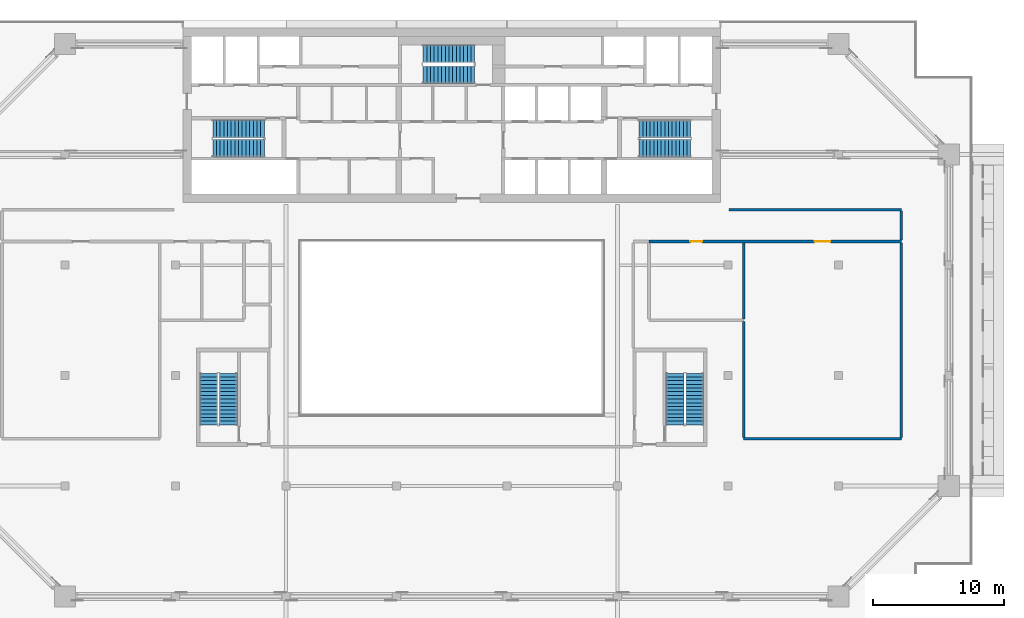
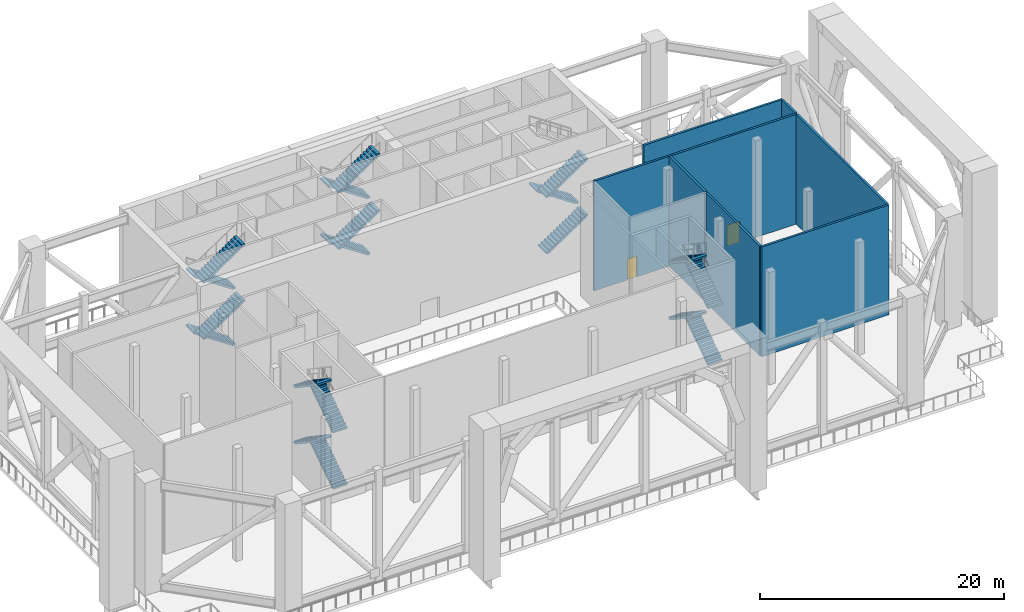
# One storey, part 8 of 19: 19 stair flights, 7 walls, 2 doors, 2 openings, 5 elements without a shape of their own.
"""IFC4 building model written with IfcOpenShell, lengths in metres."""

from ifc_helpers import new_model, si_unit, direction, frame, frame_2d, origin, place, context, subcontext, project, spatial, polyline, rectangle, outline, extrude, material, layer, layer_set, type_object, element, fill, aggregate, save


model = new_model("IFC4")

# Units and contexts
model_context = context("Model", 3, precision=1e-05, world=origin(), true_north=direction((0.0, 1.0)))
body_context = subcontext(model_context, "Body", "Model", "MODEL_VIEW")
ifc_project = project(units=[si_unit("LENGTHUNIT", "METRE"), si_unit("AREAUNIT", "SQUARE_METRE"), si_unit("VOLUMEUNIT", "CUBIC_METRE"), si_unit("PLANEANGLEUNIT", "RADIAN"), si_unit("MASSUNIT", "GRAM", prefix="KILO")], contexts=[model_context])

# Site, building, storey
site_placement = place(None, origin())
site = spatial("IfcSite", under=ifc_project, at=site_placement, CompositionType="ELEMENT")
building_placement = place(site_placement, origin())
building = spatial("IfcBuilding", under=site, at=building_placement, Name="Saffron Gate Tower", CompositionType="ELEMENT")
storey_placement = place(building_placement, frame((0.0, 0.0, 194.25)))
storey = spatial("IfcBuildingStorey", under=building, at=storey_placement, Name="L48", CompositionType="ELEMENT", Elevation=194.25)

# Wall, openings, doors
ifc_material_1 = material(Name="Clay brick masonry, rendered", Category="masonry")
ifc_layer_1 = layer(ifc_material_1, 0.199951171875)
ifc_layer_set_1 = layer_set([ifc_layer_1], Name="PW3 Corridor wall 200")
wall_type_1 = type_object("IfcWallType", Name="PW3 Corridor wall 200", PredefinedType="PARTITIONING", material=ifc_layer_set_1)
wall_1_placement = place(storey_placement, frame((121.800048828125, 58.800048828125, 0.0), z_axis=(0.0, 0.0, 1.0), x_axis=(-1.0, 0.0, 0.0)))
wall_1 = element("IfcWall", 1, at=wall_1_placement, inside=storey, type_object=wall_type_1, Name="Wall X2-9", PredefinedType="PARTITIONING", context=body_context, shape_type="SweptSolid", body=[
    extrude(rectangle(XDim=19.199951171875, YDim=0.199951171875, at=frame_2d((9.60009765625, 0.0))), origin(), (0.0, 0.0, 1.0), 10.969970703125),
])
opening_1_placement = place(wall_1_placement, frame((5.39990234375, 0.0, 0.0)))
opening_1 = element("IfcOpeningElement", 2, at=opening_1_placement, cuts=wall_1, Name="Opening X2-5", PredefinedType="OPENING", context=body_context, shape_type="SweptSolid", body=[
    extrude(rectangle(XDim=1.199951171875, YDim=2.10009765625, at=frame_2d((0.60009765625, 1.050048828125))), frame((0.0, 0.10986328125, 0.0), z_axis=(0.0, -1.0, 0.0), x_axis=(1.0, 0.0, 0.0)), (0.0, 0.0, 1.0), 0.219970703125),
])
opening_2_placement = place(wall_1_placement, frame((15.14990234375, 0.0, 0.0)))
opening_2 = element("IfcOpeningElement", 3, at=opening_2_placement, cuts=wall_1, Name="Opening X2-1", PredefinedType="OPENING", context=body_context, shape_type="SweptSolid", body=[
    extrude(rectangle(XDim=0.89990234375, YDim=2.10009765625, at=frame_2d((0.449951171875, 1.050048828125))), frame((0.0, 0.10986328125, 0.0), z_axis=(0.0, -1.0, 0.0), x_axis=(1.0, 0.0, 0.0)), (0.0, 0.0, 1.0), 0.219970703125),
])
ifc_material_2 = material(Name="Timber door set", Category="wood")
door_type_1 = type_object("IfcDoorType", Name="HD1 Hall door 1200x2100", OperationType="NOTDEFINED", PredefinedType="DOOR", material=ifc_material_2)
door_1_placement = place(opening_1_placement, origin())
door_1 = element("IfcDoor", 4, at=door_1_placement, inside=storey, type_object=door_type_1, Name="Door X2-5", OperationType="SINGLE_SWING_RIGHT", OverallHeight=2.10009765625, OverallWidth=1.199951171875, PredefinedType="DOOR", context=body_context, shape_type="SweptSolid", body=[
    extrude(rectangle(XDim=1.199951171875, YDim=2.10009765625, at=frame_2d((0.60009765625, 1.050048828125))), frame((0.0, 0.02490234375, 0.0), z_axis=(0.0, -1.0, 0.0), x_axis=(1.0, 0.0, 0.0)), (0.0, 0.0, 1.0), 0.050048828125),
])
fill(opening_1, door_1)
door_type_2 = type_object("IfcDoorType", Name="RD1 Room door 900x2100", OperationType="NOTDEFINED", PredefinedType="DOOR", material=ifc_material_2)
door_2_placement = place(opening_2_placement, origin())
door_2 = element("IfcDoor", 5, at=door_2_placement, inside=storey, type_object=door_type_2, Name="Door X2-1", OperationType="SINGLE_SWING_LEFT", OverallHeight=2.10009765625, OverallWidth=0.89990234375, PredefinedType="DOOR", context=body_context, shape_type="SweptSolid", body=[
    extrude(rectangle(XDim=0.89990234375, YDim=2.10009765625, at=frame_2d((0.449951171875, 1.050048828125))), frame((0.0, 0.02490234375, 0.0), z_axis=(0.0, -1.0, 0.0), x_axis=(1.0, 0.0, 0.0)), (0.0, 0.0, 1.0), 0.050048828125),
])
fill(opening_2, door_2)

# Walls
ifc_layer_2 = layer(ifc_material_1, 0.199951171875)
ifc_layer_set_2 = layer_set([ifc_layer_2], Name="PW5 Room wall 200")
wall_type_2 = type_object("IfcWallType", Name="PW5 Room wall 200", PredefinedType="PARTITIONING", material=ifc_layer_set_2)
wall_2_placement = place(storey_placement, frame((109.800048828125, 43.800048828125, 0.0), z_axis=(0.0, 0.0, 1.0), x_axis=(1.0, 0.0, 0.0)))
element("IfcWall", 6, at=wall_2_placement, inside=storey, type_object=wall_type_2, Name="Wall X2-3", PredefinedType="PARTITIONING", context=body_context, shape_type="SweptSolid", body=[
    extrude(rectangle(XDim=12.0, YDim=0.199951171875, at=frame_2d((6.0, 0.0))), origin(), (0.0, 0.0, 1.0), 10.969970703125),
])
wall_3_placement = place(storey_placement, frame((108.699951171875, 61.199951171875, 0.0), z_axis=(0.0, 0.0, 1.0), x_axis=(1.0, 0.0, 0.0)))
element("IfcWall", 7, at=wall_3_placement, inside=storey, type_object=wall_type_2, Name="Wall X2-12", PredefinedType="PARTITIONING", context=body_context, shape_type="SweptSolid", body=[
    extrude(rectangle(XDim=13.10009765625, YDim=0.199951171875, at=frame_2d((6.550048828125, 0.0))), origin(), (0.0, 0.0, 1.0), 10.969970703125),
])
wall_4_placement = place(storey_placement, frame((109.800048828125, 52.699951171875, 0.0), z_axis=(0.0, 0.0, 1.0), x_axis=(0.0, -1.0, 0.0)))
element("IfcWall", 8, at=wall_4_placement, inside=storey, type_object=wall_type_2, Name="Wall X2-24", PredefinedType="PARTITIONING", context=body_context, shape_type="SweptSolid", body=[
    extrude(rectangle(XDim=8.800048828125, YDim=0.199951171875, at=frame_2d((4.39990234375, 0.0))), origin(), (0.0, 0.0, 1.0), 10.969970703125),
])
wall_5_placement = place(storey_placement, frame((109.800048828125, 58.699951171875, 0.0), z_axis=(0.0, 0.0, 1.0), x_axis=(0.0, -1.0, 0.0)))
element("IfcWall", 9, at=wall_5_placement, inside=storey, type_object=wall_type_2, Name="Wall X2-25", PredefinedType="PARTITIONING", context=body_context, shape_type="SweptSolid", body=[
    extrude(rectangle(XDim=5.800048828125, YDim=0.199951171875, at=frame_2d((2.89990234375, 0.0))), origin(), (0.0, 0.0, 1.0), 10.969970703125),
])
wall_6_placement = place(storey_placement, frame((121.800048828125, 58.699951171875, 0.0), z_axis=(0.0, 0.0, 1.0), x_axis=(0.0, -1.0, 0.0)))
element("IfcWall", 10, at=wall_6_placement, inside=storey, type_object=wall_type_2, Name="Wall X2-26", PredefinedType="PARTITIONING", context=body_context, shape_type="SweptSolid", body=[
    extrude(rectangle(XDim=14.800048828125, YDim=0.199951171875, at=frame_2d((7.39990234375, 0.0))), origin(), (0.0, 0.0, 1.0), 10.969970703125),
])
wall_7_placement = place(storey_placement, frame((121.800048828125, 61.10009765625, 0.0), z_axis=(0.0, 0.0, 1.0), x_axis=(0.0, -1.0, 0.0)))
element("IfcWall", 11, at=wall_7_placement, inside=storey, type_object=wall_type_2, Name="Wall X2-27", PredefinedType="PARTITIONING", context=body_context, shape_type="SweptSolid", body=[
    extrude(rectangle(XDim=2.2001953125, YDim=0.199951171875, at=frame_2d((1.10009765625, 0.0))), origin(), (0.0, 0.0, 1.0), 10.969970703125),
])

# Stair, stair flights
ifc_material_3 = material(Name="Concrete C40", Category="concrete")
stair_type = type_object("IfcStairType", Name="ST8 Stair 1350 wide, 60 risers of 188", PredefinedType="HALF_TURN_STAIR", material=ifc_material_3)
stair_1_placement = place(storey_placement, origin())
stair_1 = element("IfcStair", 12, at=stair_1_placement, inside=storey, type_object=stair_type, Name="L48 Exit stair A", PredefinedType="HALF_TURN_STAIR")
stair_flight_type = type_object("IfcStairFlightType", Name="SF2 Stair flight 1350 wide, riser 188 going 280", PredefinedType="STRAIGHT", material=ifc_material_3)
stair_flight_1_placement = place(storey_placement, frame((73.35009765625, 67.375, 0.0), z_axis=(0.0, 0.0, 1.0), x_axis=(-1.0, 0.0, 0.0)))
stair_flight_1 = element("IfcStairFlight", 13, at=stair_flight_1_placement, type_object=stair_flight_type, Name="ST-A flight 1", NumberOfRisers=15, NumberOfTreads=14, PredefinedType="STRAIGHT", RiserHeight=0.1875, TreadLength=0.28, context=body_context, shape_type="SweptSolid", body=[
    extrude(outline(polyline([(0.0, 0.0), (0.0, 0.1875), (0.280029296875, 0.1875), (0.280029296875, 0.375), (0.56005859375, 0.375), (0.56005859375, 0.5625), (0.840087890625, 0.5625), (0.840087890625, 0.75), (1.1201171875, 0.75), (1.1201171875, 0.9375), (1.39990234375, 0.9375), (1.39990234375, 1.125), (1.679931640625, 1.125), (1.679931640625, 1.3125), (1.9599609375, 1.3125), (1.9599609375, 1.5), (2.239990234375, 1.5), (2.239990234375, 1.6875), (2.52001953125, 1.6875), (2.52001953125, 1.875), (2.800048828125, 1.875), (2.800048828125, 2.0625), (3.080078125, 2.0625), (3.080078125, 2.25), (3.360107421875, 2.25), (3.360107421875, 2.4375), (3.639892578125, 2.4375), (3.639892578125, 2.625), (3.919921875, 2.625), (3.919921875, 2.8125), (3.919921875, 2.444580078125), (0.26953125, 0.0), (0.0, 0.0)])), frame((0.0, 0.675048828125, 0.0), z_axis=(0.0, -1.0, 0.0), x_axis=(1.0, 0.0, 0.0)), (0.0, 0.0, 1.0), 1.35009765625),
])
stair_flight_2_placement = place(storey_placement, frame((69.429931640625, 65.875, 2.8125), z_axis=(0.0, 0.0, 1.0), x_axis=(1.0, 0.0, 0.0)))
stair_flight_2 = element("IfcStairFlight", 14, at=stair_flight_2_placement, type_object=stair_flight_type, Name="ST-A flight 2", NumberOfRisers=15, NumberOfTreads=14, PredefinedType="STRAIGHT", RiserHeight=0.1875, TreadLength=0.28, context=body_context, shape_type="SweptSolid", body=[
    extrude(outline(polyline([(0.0, 0.0), (0.0, 0.1875), (0.280029296875, 0.1875), (0.280029296875, 0.375), (0.56005859375, 0.375), (0.56005859375, 0.5625), (0.840087890625, 0.5625), (0.840087890625, 0.75), (1.1201171875, 0.75), (1.1201171875, 0.9375), (1.39990234375, 0.9375), (1.39990234375, 1.125), (1.679931640625, 1.125), (1.679931640625, 1.3125), (1.9599609375, 1.3125), (1.9599609375, 1.5), (2.239990234375, 1.5), (2.239990234375, 1.6875), (2.52001953125, 1.6875), (2.52001953125, 1.875), (2.800048828125, 1.875), (2.800048828125, 2.0625), (3.080078125, 2.0625), (3.080078125, 2.25), (3.360107421875, 2.25), (3.360107421875, 2.4375), (3.639892578125, 2.4375), (3.639892578125, 2.625), (3.919921875, 2.625), (3.919921875, 2.8125), (3.919921875, 2.444580078125), (0.26953125, 0.0), (0.0, 0.0)])), frame((0.0, 0.675048828125, 0.0), z_axis=(0.0, -1.0, 0.0), x_axis=(1.0, 0.0, 0.0)), (0.0, 0.0, 1.0), 1.35009765625),
])
stair_flight_3_placement = place(storey_placement, frame((73.35009765625, 67.375, 5.625), z_axis=(0.0, 0.0, 1.0), x_axis=(-1.0, 0.0, 0.0)))
stair_flight_3 = element("IfcStairFlight", 15, at=stair_flight_3_placement, type_object=stair_flight_type, Name="ST-A flight 3", NumberOfRisers=15, NumberOfTreads=14, PredefinedType="STRAIGHT", RiserHeight=0.1875, TreadLength=0.28, context=body_context, shape_type="SweptSolid", body=[
    extrude(outline(polyline([(0.0, 0.0), (0.0, 0.1875), (0.280029296875, 0.1875), (0.280029296875, 0.375), (0.56005859375, 0.375), (0.56005859375, 0.5625), (0.840087890625, 0.5625), (0.840087890625, 0.75), (1.1201171875, 0.75), (1.1201171875, 0.9375), (1.39990234375, 0.9375), (1.39990234375, 1.125), (1.679931640625, 1.125), (1.679931640625, 1.3125), (1.9599609375, 1.3125), (1.9599609375, 1.5), (2.239990234375, 1.5), (2.239990234375, 1.6875), (2.52001953125, 1.6875), (2.52001953125, 1.875), (2.800048828125, 1.875), (2.800048828125, 2.0625), (3.080078125, 2.0625), (3.080078125, 2.25), (3.360107421875, 2.25), (3.360107421875, 2.4375), (3.639892578125, 2.4375), (3.639892578125, 2.625), (3.919921875, 2.625), (3.919921875, 2.8125), (3.919921875, 2.444580078125), (0.26953125, 0.0), (0.0, 0.0)])), frame((0.0, 0.675048828125, 0.0), z_axis=(0.0, -1.0, 0.0), x_axis=(1.0, 0.0, 0.0)), (0.0, 0.0, 1.0), 1.35009765625),
])
stair_flight_4_placement = place(storey_placement, frame((69.429931640625, 65.875, 8.4375), z_axis=(0.0, 0.0, 1.0), x_axis=(1.0, 0.0, 0.0)))
stair_flight_4 = element("IfcStairFlight", 16, at=stair_flight_4_placement, type_object=stair_flight_type, Name="ST-A flight 4", NumberOfRisers=15, NumberOfTreads=14, PredefinedType="STRAIGHT", RiserHeight=0.1875, TreadLength=0.28, context=body_context, shape_type="SweptSolid", body=[
    extrude(outline(polyline([(0.0, 0.0), (0.0, 0.1875), (0.280029296875, 0.1875), (0.280029296875, 0.375), (0.56005859375, 0.375), (0.56005859375, 0.5625), (0.840087890625, 0.5625), (0.840087890625, 0.75), (1.1201171875, 0.75), (1.1201171875, 0.9375), (1.39990234375, 0.9375), (1.39990234375, 1.125), (1.679931640625, 1.125), (1.679931640625, 1.3125), (1.9599609375, 1.3125), (1.9599609375, 1.5), (2.239990234375, 1.5), (2.239990234375, 1.6875), (2.52001953125, 1.6875), (2.52001953125, 1.875), (2.800048828125, 1.875), (2.800048828125, 2.0625), (3.080078125, 2.0625), (3.080078125, 2.25), (3.360107421875, 2.25), (3.360107421875, 2.4375), (3.639892578125, 2.4375), (3.639892578125, 2.625), (3.919921875, 2.625), (3.919921875, 2.8125), (3.919921875, 2.444580078125), (0.26953125, 0.0), (0.0, 0.0)])), frame((0.0, 0.675048828125, 0.0), z_axis=(0.0, -1.0, 0.0), x_axis=(1.0, 0.0, 0.0)), (0.0, 0.0, 1.0), 1.35009765625),
])
aggregate(stair_1, [stair_flight_1, stair_flight_2, stair_flight_3, stair_flight_4])

stair_2_placement = place(storey_placement, origin())
stair_2 = element("IfcStair", 17, at=stair_2_placement, inside=storey, type_object=stair_type, Name="L48 Exit stair B", PredefinedType="HALF_TURN_STAIR")
stair_flight_5_placement = place(storey_placement, frame((101.85009765625, 65.875, 0.0), z_axis=(0.0, 0.0, 1.0), x_axis=(1.0, 0.0, 0.0)))
stair_flight_5 = element("IfcStairFlight", 18, at=stair_flight_5_placement, type_object=stair_flight_type, Name="ST-B flight 1", NumberOfRisers=15, NumberOfTreads=14, PredefinedType="STRAIGHT", RiserHeight=0.1875, TreadLength=0.28, context=body_context, shape_type="SweptSolid", body=[
    extrude(outline(polyline([(0.0, 0.0), (0.0, 0.1875), (0.280029296875, 0.1875), (0.280029296875, 0.375), (0.56005859375, 0.375), (0.56005859375, 0.5625), (0.840087890625, 0.5625), (0.840087890625, 0.75), (1.1201171875, 0.75), (1.1201171875, 0.9375), (1.39990234375, 0.9375), (1.39990234375, 1.125), (1.679931640625, 1.125), (1.679931640625, 1.3125), (1.9599609375, 1.3125), (1.9599609375, 1.5), (2.239990234375, 1.5), (2.239990234375, 1.6875), (2.52001953125, 1.6875), (2.52001953125, 1.875), (2.800048828125, 1.875), (2.800048828125, 2.0625), (3.080078125, 2.0625), (3.080078125, 2.25), (3.360107421875, 2.25), (3.360107421875, 2.4375), (3.639892578125, 2.4375), (3.639892578125, 2.625), (3.919921875, 2.625), (3.919921875, 2.8125), (3.919921875, 2.444580078125), (0.26953125, 0.0), (0.0, 0.0)])), frame((0.0, 0.675048828125, 0.0), z_axis=(0.0, -1.0, 0.0), x_axis=(1.0, 0.0, 0.0)), (0.0, 0.0, 1.0), 1.35009765625),
])
stair_flight_6_placement = place(storey_placement, frame((105.77001953125, 67.375, 2.8125), z_axis=(0.0, 0.0, 1.0), x_axis=(-1.0, 0.0, 0.0)))
stair_flight_6 = element("IfcStairFlight", 19, at=stair_flight_6_placement, type_object=stair_flight_type, Name="ST-B flight 2", NumberOfRisers=15, NumberOfTreads=14, PredefinedType="STRAIGHT", RiserHeight=0.1875, TreadLength=0.28, context=body_context, shape_type="SweptSolid", body=[
    extrude(outline(polyline([(0.0, 0.0), (0.0, 0.1875), (0.280029296875, 0.1875), (0.280029296875, 0.375), (0.56005859375, 0.375), (0.56005859375, 0.5625), (0.840087890625, 0.5625), (0.840087890625, 0.75), (1.1201171875, 0.75), (1.1201171875, 0.9375), (1.39990234375, 0.9375), (1.39990234375, 1.125), (1.679931640625, 1.125), (1.679931640625, 1.3125), (1.9599609375, 1.3125), (1.9599609375, 1.5), (2.239990234375, 1.5), (2.239990234375, 1.6875), (2.52001953125, 1.6875), (2.52001953125, 1.875), (2.800048828125, 1.875), (2.800048828125, 2.0625), (3.080078125, 2.0625), (3.080078125, 2.25), (3.360107421875, 2.25), (3.360107421875, 2.4375), (3.639892578125, 2.4375), (3.639892578125, 2.625), (3.919921875, 2.625), (3.919921875, 2.8125), (3.919921875, 2.444580078125), (0.26953125, 0.0), (0.0, 0.0)])), frame((0.0, 0.675048828125, 0.0), z_axis=(0.0, -1.0, 0.0), x_axis=(1.0, 0.0, 0.0)), (0.0, 0.0, 1.0), 1.35009765625),
])
stair_flight_7_placement = place(storey_placement, frame((101.85009765625, 65.875, 5.625), z_axis=(0.0, 0.0, 1.0), x_axis=(1.0, 0.0, 0.0)))
stair_flight_7 = element("IfcStairFlight", 20, at=stair_flight_7_placement, type_object=stair_flight_type, Name="ST-B flight 3", NumberOfRisers=15, NumberOfTreads=14, PredefinedType="STRAIGHT", RiserHeight=0.1875, TreadLength=0.28, context=body_context, shape_type="SweptSolid", body=[
    extrude(outline(polyline([(0.0, 0.0), (0.0, 0.1875), (0.280029296875, 0.1875), (0.280029296875, 0.375), (0.56005859375, 0.375), (0.56005859375, 0.5625), (0.840087890625, 0.5625), (0.840087890625, 0.75), (1.1201171875, 0.75), (1.1201171875, 0.9375), (1.39990234375, 0.9375), (1.39990234375, 1.125), (1.679931640625, 1.125), (1.679931640625, 1.3125), (1.9599609375, 1.3125), (1.9599609375, 1.5), (2.239990234375, 1.5), (2.239990234375, 1.6875), (2.52001953125, 1.6875), (2.52001953125, 1.875), (2.800048828125, 1.875), (2.800048828125, 2.0625), (3.080078125, 2.0625), (3.080078125, 2.25), (3.360107421875, 2.25), (3.360107421875, 2.4375), (3.639892578125, 2.4375), (3.639892578125, 2.625), (3.919921875, 2.625), (3.919921875, 2.8125), (3.919921875, 2.444580078125), (0.26953125, 0.0), (0.0, 0.0)])), frame((0.0, 0.675048828125, 0.0), z_axis=(0.0, -1.0, 0.0), x_axis=(1.0, 0.0, 0.0)), (0.0, 0.0, 1.0), 1.35009765625),
])
aggregate(stair_2, [stair_flight_5, stair_flight_6, stair_flight_7])

stair_3_placement = place(storey_placement, origin())
stair_3 = element("IfcStair", 21, at=stair_3_placement, inside=storey, type_object=stair_type, Name="L48 Exit stair C", PredefinedType="HALF_TURN_STAIR")
stair_flight_8_placement = place(storey_placement, frame((89.35009765625, 73.074951171875, 0.0), z_axis=(0.0, 0.0, 1.0), x_axis=(-1.0, 0.0, 0.0)))
stair_flight_8 = element("IfcStairFlight", 22, at=stair_flight_8_placement, type_object=stair_flight_type, Name="ST-C flight 1", NumberOfRisers=15, NumberOfTreads=14, PredefinedType="STRAIGHT", RiserHeight=0.1875, TreadLength=0.28, context=body_context, shape_type="SweptSolid", body=[
    extrude(outline(polyline([(0.0, 0.0), (0.0, 0.1875), (0.280029296875, 0.1875), (0.280029296875, 0.375), (0.56005859375, 0.375), (0.56005859375, 0.5625), (0.840087890625, 0.5625), (0.840087890625, 0.75), (1.1201171875, 0.75), (1.1201171875, 0.9375), (1.39990234375, 0.9375), (1.39990234375, 1.125), (1.679931640625, 1.125), (1.679931640625, 1.3125), (1.9599609375, 1.3125), (1.9599609375, 1.5), (2.239990234375, 1.5), (2.239990234375, 1.6875), (2.52001953125, 1.6875), (2.52001953125, 1.875), (2.800048828125, 1.875), (2.800048828125, 2.0625), (3.080078125, 2.0625), (3.080078125, 2.25), (3.360107421875, 2.25), (3.360107421875, 2.4375), (3.639892578125, 2.4375), (3.639892578125, 2.625), (3.919921875, 2.625), (3.919921875, 2.8125), (3.919921875, 2.444580078125), (0.26953125, 0.0), (0.0, 0.0)])), frame((0.0, 0.675048828125, 0.0), z_axis=(0.0, -1.0, 0.0), x_axis=(1.0, 0.0, 0.0)), (0.0, 0.0, 1.0), 1.35009765625),
])
stair_flight_9_placement = place(storey_placement, frame((85.429931640625, 71.47509765625, 2.8125), z_axis=(0.0, 0.0, 1.0), x_axis=(1.0, 0.0, 0.0)))
stair_flight_9 = element("IfcStairFlight", 23, at=stair_flight_9_placement, type_object=stair_flight_type, Name="ST-C flight 2", NumberOfRisers=15, NumberOfTreads=14, PredefinedType="STRAIGHT", RiserHeight=0.1875, TreadLength=0.28, context=body_context, shape_type="SweptSolid", body=[
    extrude(outline(polyline([(0.0, 0.0), (0.0, 0.1875), (0.280029296875, 0.1875), (0.280029296875, 0.375), (0.56005859375, 0.375), (0.56005859375, 0.5625), (0.840087890625, 0.5625), (0.840087890625, 0.75), (1.1201171875, 0.75), (1.1201171875, 0.9375), (1.39990234375, 0.9375), (1.39990234375, 1.125), (1.679931640625, 1.125), (1.679931640625, 1.3125), (1.9599609375, 1.3125), (1.9599609375, 1.5), (2.239990234375, 1.5), (2.239990234375, 1.6875), (2.52001953125, 1.6875), (2.52001953125, 1.875), (2.800048828125, 1.875), (2.800048828125, 2.0625), (3.080078125, 2.0625), (3.080078125, 2.25), (3.360107421875, 2.25), (3.360107421875, 2.4375), (3.639892578125, 2.4375), (3.639892578125, 2.625), (3.919921875, 2.625), (3.919921875, 2.8125), (3.919921875, 2.444580078125), (0.26953125, 0.0), (0.0, 0.0)])), frame((0.0, 0.675048828125, 0.0), z_axis=(0.0, -1.0, 0.0), x_axis=(1.0, 0.0, 0.0)), (0.0, 0.0, 1.0), 1.35009765625),
])
stair_flight_10_placement = place(storey_placement, frame((89.35009765625, 73.074951171875, 5.625), z_axis=(0.0, 0.0, 1.0), x_axis=(-1.0, 0.0, 0.0)))
stair_flight_10 = element("IfcStairFlight", 24, at=stair_flight_10_placement, type_object=stair_flight_type, Name="ST-C flight 3", NumberOfRisers=15, NumberOfTreads=14, PredefinedType="STRAIGHT", RiserHeight=0.1875, TreadLength=0.28, context=body_context, shape_type="SweptSolid", body=[
    extrude(outline(polyline([(0.0, 0.0), (0.0, 0.1875), (0.280029296875, 0.1875), (0.280029296875, 0.375), (0.56005859375, 0.375), (0.56005859375, 0.5625), (0.840087890625, 0.5625), (0.840087890625, 0.75), (1.1201171875, 0.75), (1.1201171875, 0.9375), (1.39990234375, 0.9375), (1.39990234375, 1.125), (1.679931640625, 1.125), (1.679931640625, 1.3125), (1.9599609375, 1.3125), (1.9599609375, 1.5), (2.239990234375, 1.5), (2.239990234375, 1.6875), (2.52001953125, 1.6875), (2.52001953125, 1.875), (2.800048828125, 1.875), (2.800048828125, 2.0625), (3.080078125, 2.0625), (3.080078125, 2.25), (3.360107421875, 2.25), (3.360107421875, 2.4375), (3.639892578125, 2.4375), (3.639892578125, 2.625), (3.919921875, 2.625), (3.919921875, 2.8125), (3.919921875, 2.444580078125), (0.26953125, 0.0), (0.0, 0.0)])), frame((0.0, 0.675048828125, 0.0), z_axis=(0.0, -1.0, 0.0), x_axis=(1.0, 0.0, 0.0)), (0.0, 0.0, 1.0), 1.35009765625),
])
stair_flight_11_placement = place(storey_placement, frame((85.429931640625, 71.47509765625, 8.4375), z_axis=(0.0, 0.0, 1.0), x_axis=(1.0, 0.0, 0.0)))
stair_flight_11 = element("IfcStairFlight", 25, at=stair_flight_11_placement, type_object=stair_flight_type, Name="ST-C flight 4", NumberOfRisers=15, NumberOfTreads=14, PredefinedType="STRAIGHT", RiserHeight=0.1875, TreadLength=0.28, context=body_context, shape_type="SweptSolid", body=[
    extrude(outline(polyline([(0.0, 0.0), (0.0, 0.1875), (0.280029296875, 0.1875), (0.280029296875, 0.375), (0.56005859375, 0.375), (0.56005859375, 0.5625), (0.840087890625, 0.5625), (0.840087890625, 0.75), (1.1201171875, 0.75), (1.1201171875, 0.9375), (1.39990234375, 0.9375), (1.39990234375, 1.125), (1.679931640625, 1.125), (1.679931640625, 1.3125), (1.9599609375, 1.3125), (1.9599609375, 1.5), (2.239990234375, 1.5), (2.239990234375, 1.6875), (2.52001953125, 1.6875), (2.52001953125, 1.875), (2.800048828125, 1.875), (2.800048828125, 2.0625), (3.080078125, 2.0625), (3.080078125, 2.25), (3.360107421875, 2.25), (3.360107421875, 2.4375), (3.639892578125, 2.4375), (3.639892578125, 2.625), (3.919921875, 2.625), (3.919921875, 2.8125), (3.919921875, 2.444580078125), (0.26953125, 0.0), (0.0, 0.0)])), frame((0.0, 0.675048828125, 0.0), z_axis=(0.0, -1.0, 0.0), x_axis=(1.0, 0.0, 0.0)), (0.0, 0.0, 1.0), 1.35009765625),
])
aggregate(stair_3, [stair_flight_8, stair_flight_9, stair_flight_10, stair_flight_11])

stair_4_placement = place(storey_placement, origin())
stair_4 = element("IfcStair", 26, at=stair_4_placement, inside=storey, type_object=stair_type, Name="L48 Exit stair D", PredefinedType="HALF_TURN_STAIR")
stair_flight_12_placement = place(storey_placement, frame((70.625, 44.85009765625, 0.0), z_axis=(0.0, 0.0, 1.0), x_axis=(0.0, 1.0, 0.0)))
stair_flight_12 = element("IfcStairFlight", 27, at=stair_flight_12_placement, type_object=stair_flight_type, Name="ST-D flight 1", NumberOfRisers=15, NumberOfTreads=14, PredefinedType="STRAIGHT", RiserHeight=0.1875, TreadLength=0.28, context=body_context, shape_type="SweptSolid", body=[
    extrude(outline(polyline([(0.0, 0.0), (0.0, 0.1875), (0.280029296875, 0.1875), (0.280029296875, 0.375), (0.56005859375, 0.375), (0.56005859375, 0.5625), (0.840087890625, 0.5625), (0.840087890625, 0.75), (1.1201171875, 0.75), (1.1201171875, 0.9375), (1.39990234375, 0.9375), (1.39990234375, 1.125), (1.679931640625, 1.125), (1.679931640625, 1.3125), (1.9599609375, 1.3125), (1.9599609375, 1.5), (2.239990234375, 1.5), (2.239990234375, 1.6875), (2.52001953125, 1.6875), (2.52001953125, 1.875), (2.800048828125, 1.875), (2.800048828125, 2.0625), (3.080078125, 2.0625), (3.080078125, 2.25), (3.360107421875, 2.25), (3.360107421875, 2.4375), (3.639892578125, 2.4375), (3.639892578125, 2.625), (3.919921875, 2.625), (3.919921875, 2.8125), (3.919921875, 2.444580078125), (0.26953125, 0.0), (0.0, 0.0)])), frame((0.0, 0.675048828125, 0.0), z_axis=(0.0, -1.0, 0.0), x_axis=(1.0, 0.0, 0.0)), (0.0, 0.0, 1.0), 1.35009765625),
])
stair_flight_13_placement = place(storey_placement, frame((69.125, 48.77001953125, 2.8125), z_axis=(0.0, 0.0, 1.0), x_axis=(0.0, -1.0, 0.0)))
stair_flight_13 = element("IfcStairFlight", 28, at=stair_flight_13_placement, type_object=stair_flight_type, Name="ST-D flight 2", NumberOfRisers=15, NumberOfTreads=14, PredefinedType="STRAIGHT", RiserHeight=0.1875, TreadLength=0.28, context=body_context, shape_type="SweptSolid", body=[
    extrude(outline(polyline([(0.0, 0.0), (0.0, 0.1875), (0.280029296875, 0.1875), (0.280029296875, 0.375), (0.56005859375, 0.375), (0.56005859375, 0.5625), (0.840087890625, 0.5625), (0.840087890625, 0.75), (1.1201171875, 0.75), (1.1201171875, 0.9375), (1.39990234375, 0.9375), (1.39990234375, 1.125), (1.679931640625, 1.125), (1.679931640625, 1.3125), (1.9599609375, 1.3125), (1.9599609375, 1.5), (2.239990234375, 1.5), (2.239990234375, 1.6875), (2.52001953125, 1.6875), (2.52001953125, 1.875), (2.800048828125, 1.875), (2.800048828125, 2.0625), (3.080078125, 2.0625), (3.080078125, 2.25), (3.360107421875, 2.25), (3.360107421875, 2.4375), (3.639892578125, 2.4375), (3.639892578125, 2.625), (3.919921875, 2.625), (3.919921875, 2.8125), (3.919921875, 2.444580078125), (0.26953125, 0.0), (0.0, 0.0)])), frame((0.0, 0.675048828125, 0.0), z_axis=(0.0, -1.0, 0.0), x_axis=(1.0, 0.0, 0.0)), (0.0, 0.0, 1.0), 1.35009765625),
])
stair_flight_14_placement = place(storey_placement, frame((70.625, 44.85009765625, 5.625), z_axis=(0.0, 0.0, 1.0), x_axis=(0.0, 1.0, 0.0)))
stair_flight_14 = element("IfcStairFlight", 29, at=stair_flight_14_placement, type_object=stair_flight_type, Name="ST-D flight 3", NumberOfRisers=15, NumberOfTreads=14, PredefinedType="STRAIGHT", RiserHeight=0.1875, TreadLength=0.28, context=body_context, shape_type="SweptSolid", body=[
    extrude(outline(polyline([(0.0, 0.0), (0.0, 0.1875), (0.280029296875, 0.1875), (0.280029296875, 0.375), (0.56005859375, 0.375), (0.56005859375, 0.5625), (0.840087890625, 0.5625), (0.840087890625, 0.75), (1.1201171875, 0.75), (1.1201171875, 0.9375), (1.39990234375, 0.9375), (1.39990234375, 1.125), (1.679931640625, 1.125), (1.679931640625, 1.3125), (1.9599609375, 1.3125), (1.9599609375, 1.5), (2.239990234375, 1.5), (2.239990234375, 1.6875), (2.52001953125, 1.6875), (2.52001953125, 1.875), (2.800048828125, 1.875), (2.800048828125, 2.0625), (3.080078125, 2.0625), (3.080078125, 2.25), (3.360107421875, 2.25), (3.360107421875, 2.4375), (3.639892578125, 2.4375), (3.639892578125, 2.625), (3.919921875, 2.625), (3.919921875, 2.8125), (3.919921875, 2.444580078125), (0.26953125, 0.0), (0.0, 0.0)])), frame((0.0, 0.675048828125, 0.0), z_axis=(0.0, -1.0, 0.0), x_axis=(1.0, 0.0, 0.0)), (0.0, 0.0, 1.0), 1.35009765625),
])
stair_flight_15_placement = place(storey_placement, frame((69.125, 48.77001953125, 8.4375), z_axis=(0.0, 0.0, 1.0), x_axis=(0.0, -1.0, 0.0)))
stair_flight_15 = element("IfcStairFlight", 30, at=stair_flight_15_placement, type_object=stair_flight_type, Name="ST-D flight 4", NumberOfRisers=15, NumberOfTreads=14, PredefinedType="STRAIGHT", RiserHeight=0.1875, TreadLength=0.28, context=body_context, shape_type="SweptSolid", body=[
    extrude(outline(polyline([(0.0, 0.0), (0.0, 0.1875), (0.280029296875, 0.1875), (0.280029296875, 0.375), (0.56005859375, 0.375), (0.56005859375, 0.5625), (0.840087890625, 0.5625), (0.840087890625, 0.75), (1.1201171875, 0.75), (1.1201171875, 0.9375), (1.39990234375, 0.9375), (1.39990234375, 1.125), (1.679931640625, 1.125), (1.679931640625, 1.3125), (1.9599609375, 1.3125), (1.9599609375, 1.5), (2.239990234375, 1.5), (2.239990234375, 1.6875), (2.52001953125, 1.6875), (2.52001953125, 1.875), (2.800048828125, 1.875), (2.800048828125, 2.0625), (3.080078125, 2.0625), (3.080078125, 2.25), (3.360107421875, 2.25), (3.360107421875, 2.4375), (3.639892578125, 2.4375), (3.639892578125, 2.625), (3.919921875, 2.625), (3.919921875, 2.8125), (3.919921875, 2.444580078125), (0.26953125, 0.0), (0.0, 0.0)])), frame((0.0, 0.675048828125, 0.0), z_axis=(0.0, -1.0, 0.0), x_axis=(1.0, 0.0, 0.0)), (0.0, 0.0, 1.0), 1.35009765625),
])
aggregate(stair_4, [stair_flight_12, stair_flight_13, stair_flight_14, stair_flight_15])

stair_5_placement = place(storey_placement, origin())
stair_5 = element("IfcStair", 31, at=stair_5_placement, inside=storey, type_object=stair_type, Name="L48 Exit stair E", PredefinedType="HALF_TURN_STAIR")
stair_flight_16_placement = place(storey_placement, frame((106.074951171875, 44.85009765625, 0.0), z_axis=(0.0, 0.0, 1.0), x_axis=(0.0, 1.0, 0.0)))
stair_flight_16 = element("IfcStairFlight", 32, at=stair_flight_16_placement, type_object=stair_flight_type, Name="ST-E flight 1", NumberOfRisers=15, NumberOfTreads=14, PredefinedType="STRAIGHT", RiserHeight=0.1875, TreadLength=0.28, context=body_context, shape_type="SweptSolid", body=[
    extrude(outline(polyline([(0.0, 0.0), (0.0, 0.1875), (0.280029296875, 0.1875), (0.280029296875, 0.375), (0.56005859375, 0.375), (0.56005859375, 0.5625), (0.840087890625, 0.5625), (0.840087890625, 0.75), (1.1201171875, 0.75), (1.1201171875, 0.9375), (1.39990234375, 0.9375), (1.39990234375, 1.125), (1.679931640625, 1.125), (1.679931640625, 1.3125), (1.9599609375, 1.3125), (1.9599609375, 1.5), (2.239990234375, 1.5), (2.239990234375, 1.6875), (2.52001953125, 1.6875), (2.52001953125, 1.875), (2.800048828125, 1.875), (2.800048828125, 2.0625), (3.080078125, 2.0625), (3.080078125, 2.25), (3.360107421875, 2.25), (3.360107421875, 2.4375), (3.639892578125, 2.4375), (3.639892578125, 2.625), (3.919921875, 2.625), (3.919921875, 2.8125), (3.919921875, 2.444580078125), (0.26953125, 0.0), (0.0, 0.0)])), frame((0.0, 0.675048828125, 0.0), z_axis=(0.0, -1.0, 0.0), x_axis=(1.0, 0.0, 0.0)), (0.0, 0.0, 1.0), 1.35009765625),
])
stair_flight_17_placement = place(storey_placement, frame((104.574951171875, 48.77001953125, 2.8125), z_axis=(0.0, 0.0, 1.0), x_axis=(0.0, -1.0, 0.0)))
stair_flight_17 = element("IfcStairFlight", 33, at=stair_flight_17_placement, type_object=stair_flight_type, Name="ST-E flight 2", NumberOfRisers=15, NumberOfTreads=14, PredefinedType="STRAIGHT", RiserHeight=0.1875, TreadLength=0.28, context=body_context, shape_type="SweptSolid", body=[
    extrude(outline(polyline([(0.0, 0.0), (0.0, 0.1875), (0.280029296875, 0.1875), (0.280029296875, 0.375), (0.56005859375, 0.375), (0.56005859375, 0.5625), (0.840087890625, 0.5625), (0.840087890625, 0.75), (1.1201171875, 0.75), (1.1201171875, 0.9375), (1.39990234375, 0.9375), (1.39990234375, 1.125), (1.679931640625, 1.125), (1.679931640625, 1.3125), (1.9599609375, 1.3125), (1.9599609375, 1.5), (2.239990234375, 1.5), (2.239990234375, 1.6875), (2.52001953125, 1.6875), (2.52001953125, 1.875), (2.800048828125, 1.875), (2.800048828125, 2.0625), (3.080078125, 2.0625), (3.080078125, 2.25), (3.360107421875, 2.25), (3.360107421875, 2.4375), (3.639892578125, 2.4375), (3.639892578125, 2.625), (3.919921875, 2.625), (3.919921875, 2.8125), (3.919921875, 2.444580078125), (0.26953125, 0.0), (0.0, 0.0)])), frame((0.0, 0.675048828125, 0.0), z_axis=(0.0, -1.0, 0.0), x_axis=(1.0, 0.0, 0.0)), (0.0, 0.0, 1.0), 1.35009765625),
])
stair_flight_18_placement = place(storey_placement, frame((106.074951171875, 44.85009765625, 5.625), z_axis=(0.0, 0.0, 1.0), x_axis=(0.0, 1.0, 0.0)))
stair_flight_18 = element("IfcStairFlight", 34, at=stair_flight_18_placement, type_object=stair_flight_type, Name="ST-E flight 3", NumberOfRisers=15, NumberOfTreads=14, PredefinedType="STRAIGHT", RiserHeight=0.1875, TreadLength=0.28, context=body_context, shape_type="SweptSolid", body=[
    extrude(outline(polyline([(0.0, 0.0), (0.0, 0.1875), (0.280029296875, 0.1875), (0.280029296875, 0.375), (0.56005859375, 0.375), (0.56005859375, 0.5625), (0.840087890625, 0.5625), (0.840087890625, 0.75), (1.1201171875, 0.75), (1.1201171875, 0.9375), (1.39990234375, 0.9375), (1.39990234375, 1.125), (1.679931640625, 1.125), (1.679931640625, 1.3125), (1.9599609375, 1.3125), (1.9599609375, 1.5), (2.239990234375, 1.5), (2.239990234375, 1.6875), (2.52001953125, 1.6875), (2.52001953125, 1.875), (2.800048828125, 1.875), (2.800048828125, 2.0625), (3.080078125, 2.0625), (3.080078125, 2.25), (3.360107421875, 2.25), (3.360107421875, 2.4375), (3.639892578125, 2.4375), (3.639892578125, 2.625), (3.919921875, 2.625), (3.919921875, 2.8125), (3.919921875, 2.444580078125), (0.26953125, 0.0), (0.0, 0.0)])), frame((0.0, 0.675048828125, 0.0), z_axis=(0.0, -1.0, 0.0), x_axis=(1.0, 0.0, 0.0)), (0.0, 0.0, 1.0), 1.35009765625),
])
stair_flight_19_placement = place(storey_placement, frame((104.574951171875, 48.77001953125, 8.4375), z_axis=(0.0, 0.0, 1.0), x_axis=(0.0, -1.0, 0.0)))
stair_flight_19 = element("IfcStairFlight", 35, at=stair_flight_19_placement, type_object=stair_flight_type, Name="ST-E flight 4", NumberOfRisers=15, NumberOfTreads=14, PredefinedType="STRAIGHT", RiserHeight=0.1875, TreadLength=0.28, context=body_context, shape_type="SweptSolid", body=[
    extrude(outline(polyline([(0.0, 0.0), (0.0, 0.1875), (0.280029296875, 0.1875), (0.280029296875, 0.375), (0.56005859375, 0.375), (0.56005859375, 0.5625), (0.840087890625, 0.5625), (0.840087890625, 0.75), (1.1201171875, 0.75), (1.1201171875, 0.9375), (1.39990234375, 0.9375), (1.39990234375, 1.125), (1.679931640625, 1.125), (1.679931640625, 1.3125), (1.9599609375, 1.3125), (1.9599609375, 1.5), (2.239990234375, 1.5), (2.239990234375, 1.6875), (2.52001953125, 1.6875), (2.52001953125, 1.875), (2.800048828125, 1.875), (2.800048828125, 2.0625), (3.080078125, 2.0625), (3.080078125, 2.25), (3.360107421875, 2.25), (3.360107421875, 2.4375), (3.639892578125, 2.4375), (3.639892578125, 2.625), (3.919921875, 2.625), (3.919921875, 2.8125), (3.919921875, 2.444580078125), (0.26953125, 0.0), (0.0, 0.0)])), frame((0.0, 0.675048828125, 0.0), z_axis=(0.0, -1.0, 0.0), x_axis=(1.0, 0.0, 0.0)), (0.0, 0.0, 1.0), 1.35009765625),
])
aggregate(stair_5, [stair_flight_16, stair_flight_17, stair_flight_18, stair_flight_19])

save(model, "model.ifc")
